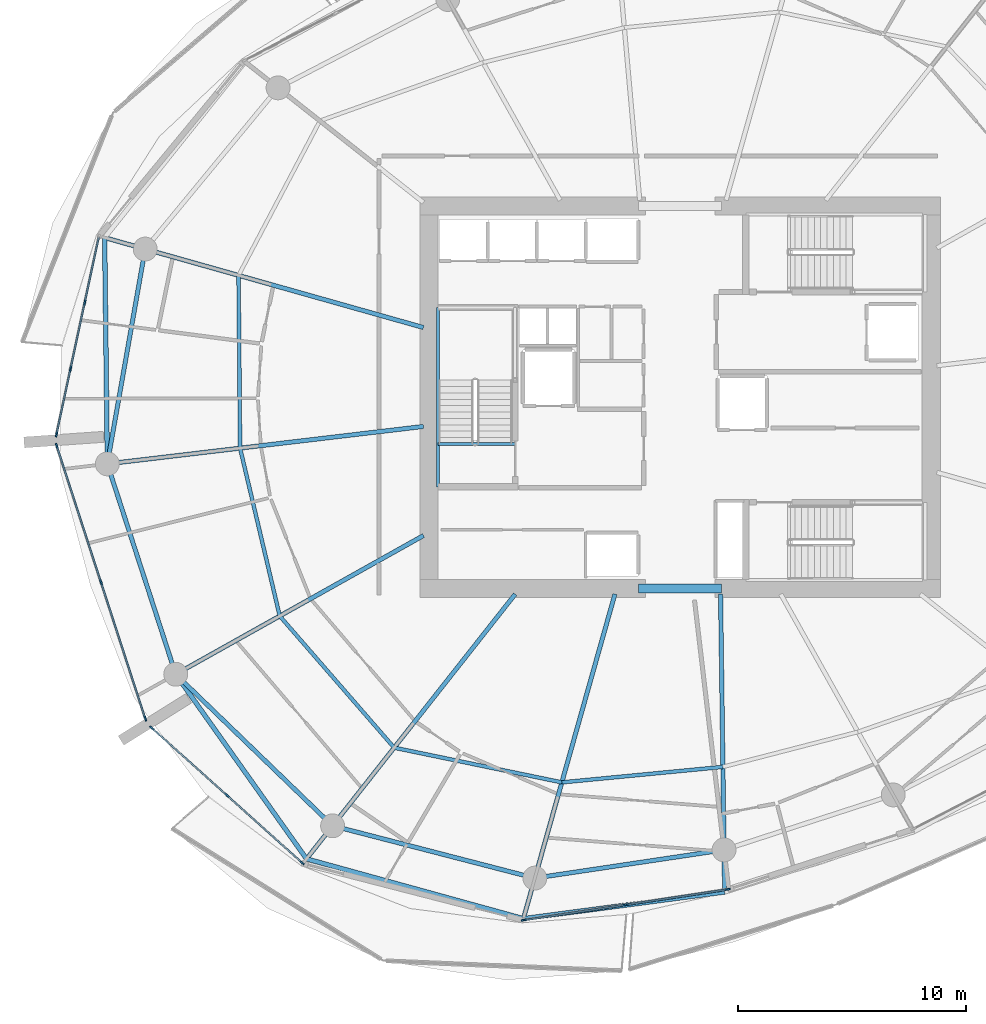
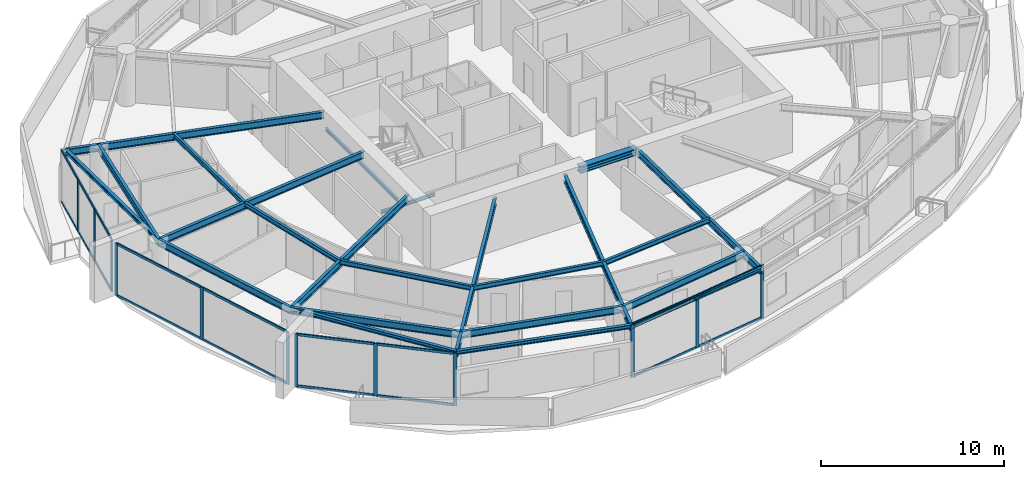
# One storey, part 5 of 20: 30 members, 23 beams, 4 elements without a shape of their own.
"""IFC4 building model written with IfcOpenShell, lengths in metres."""

from ifc_helpers import new_model, si_unit, direction, frame, origin, origin_2d, place, context, subcontext, project, spatial, rectangle, i_section, extrude, material, layer, layer_set, material_profile, profile_set, type_object, element, aggregate, save


model = new_model("IFC4")

# Units and contexts
model_context = context("Model", 3, precision=1e-05, world=origin(), true_north=direction((0.0, 1.0)))
body_context = subcontext(model_context, "Body", "Model", "MODEL_VIEW")
ifc_project = project(units=[si_unit("LENGTHUNIT", "METRE"), si_unit("AREAUNIT", "SQUARE_METRE"), si_unit("VOLUMEUNIT", "CUBIC_METRE"), si_unit("PLANEANGLEUNIT", "RADIAN"), si_unit("MASSUNIT", "GRAM", prefix="KILO")], contexts=[model_context])

# Site, building, storey
site_placement = place(None, origin())
site = spatial("IfcSite", under=ifc_project, at=site_placement, CompositionType="ELEMENT")
building_placement = place(site_placement, origin())
building = spatial("IfcBuilding", under=site, at=building_placement, Name="Kazma Halo Residences", CompositionType="ELEMENT")
storey_placement = place(building_placement, frame((0.0, 0.0, 146.550048828125)))
storey = spatial("IfcBuildingStorey", under=building, at=storey_placement, Name="L36", CompositionType="ELEMENT", Elevation=146.550048828125)

# Beams
ifc_material_1 = material(Name="Steel S355", Category="steel")
ifc_material_profile_1 = material_profile(ifc_material_1, i_section(OverallWidth=0.201904296875, OverallDepth=0.2470703125, WebThickness=0.00732421875, FlangeThickness=0.010986328125, FilletRadius=0.011962890625, at=origin_2d()), Name="W250x49.1")
ifc_profile_set_1 = profile_set([ifc_material_profile_1], Name="Steel S355")
beam_type_1 = type_object("IfcBeamType", Name="BM-BAL-CANT", PredefinedType="BEAM", material=ifc_profile_set_1)
beam_1_placement = place(storey_placement, frame((23.149658203125, 49.008544921875, 3.37646484375), z_axis=(0.011793371143, -0.99993045578, 0.0), x_axis=(0.99993045578, 0.011793371143, 0.0)))
element("IfcBeam", 1, at=beam_1_placement, inside=storey, type_object=beam_type_1, Name="L36 wave-balcony tie beam 07", PredefinedType="BEAM", context=body_context, shape_type="SweptSolid", body=[
    extrude(i_section(OverallWidth=0.201904296875, OverallDepth=0.2470703125, WebThickness=0.00732421875, FlangeThickness=0.010986328125, FilletRadius=0.011962890625, at=origin_2d()), origin(), (0.0, 0.0, 1.0), 9.936767578125),
])
beam_2_placement = place(storey_placement, frame((26.269775390625, 29.83056640625, 3.37646484375), z_axis=(0.578203432081, -0.81589263456, 0.0), x_axis=(0.81589263456, 0.578203432081, 0.0)))
element("IfcBeam", 2, at=beam_2_placement, inside=storey, type_object=beam_type_1, Name="L36 wave-balcony lead tie beam 09", PredefinedType="BEAM", context=body_context, shape_type="SweptSolid", body=[
    extrude(i_section(OverallWidth=0.201904296875, OverallDepth=0.2470703125, WebThickness=0.00732421875, FlangeThickness=0.010986328125, FilletRadius=0.011962890625, at=origin_2d()), origin(), (0.0, 0.0, 1.0), 9.9365234375),
])
beam_3_placement = place(storey_placement, frame((32.01513671875, 21.723388671875, 3.37646484375), z_axis=(0.964045237638, -0.265738179019, 0.0), x_axis=(0.265738179019, 0.964045237638, 0.0)))
element("IfcBeam", 3, at=beam_3_placement, inside=storey, type_object=beam_type_1, Name="L36 wave-balcony tie beam 10", PredefinedType="BEAM", context=body_context, shape_type="SweptSolid", body=[
    extrude(i_section(OverallWidth=0.201904296875, OverallDepth=0.2470703125, WebThickness=0.00732421875, FlangeThickness=0.010986328125, FilletRadius=0.011962890625, at=origin_2d()), origin(), (0.0, 0.0, 1.0), 9.880859375),
])
beam_4_placement = place(storey_placement, frame((41.540771484375, 19.09765625, 3.37646484375), z_axis=(0.991326402839, 0.13142284061, 0.0), x_axis=(-0.13142284061, 0.991326402839, 0.0)))
element("IfcBeam", 4, at=beam_4_placement, inside=storey, type_object=beam_type_1, Name="L36 wave-balcony tie beam 11", PredefinedType="BEAM", context=body_context, shape_type="SweptSolid", body=[
    extrude(i_section(OverallWidth=0.201904296875, OverallDepth=0.2470703125, WebThickness=0.00732421875, FlangeThickness=0.010986328125, FilletRadius=0.011962890625, at=origin_2d()), origin(), (0.0, 0.0, 1.0), 8.9150390625),
])
ifc_material_profile_2 = material_profile(ifc_material_1, i_section(OverallWidth=0.408935546875, OverallDepth=0.425048828125, WebThickness=0.03271484375, FlangeThickness=0.052490234375, FilletRadius=0.02001953125, at=origin_2d()), Name="W360x421")
ifc_profile_set_2 = profile_set([ifc_material_profile_2], Name="Steel S355")
beam_type_2 = type_object("IfcBeamType", Name="BM-CORE-W360H", PredefinedType="BEAM", material=ifc_profile_set_2)
beam_5_placement = place(storey_placement, frame((46.60009765625, 33.60009765625, 3.287353515625), z_axis=(1.0, 0.0, 0.0), x_axis=(0.0, 1.0, 0.0)))
element("IfcBeam", 5, at=beam_5_placement, inside=storey, type_object=beam_type_2, Name="L36 core coupling beam S", PredefinedType="BEAM", context=body_context, shape_type="SweptSolid", body=[
    extrude(i_section(OverallWidth=0.408935546875, OverallDepth=0.425048828125, WebThickness=0.03271484375, FlangeThickness=0.052490234375, FilletRadius=0.02001953125, at=origin_2d()), origin(), (0.0, 0.0, 1.0), 3.64990234375),
])
ifc_material_profile_3 = material_profile(ifc_material_1, i_section(OverallWidth=0.18994140625, OverallDepth=0.45703125, WebThickness=0.009033203125, FlangeThickness=0.014404296875, FilletRadius=0.01611328125, at=origin_2d()), Name="W460x74")
ifc_profile_set_3 = profile_set([ifc_material_profile_3], Name="Steel S355")
beam_type_3 = type_object("IfcBeamType", Name="BM-RAD-W460", PredefinedType="BEAM", material=ifc_profile_set_3)
beam_6_placement = place(storey_placement, frame((37.14990234375, 45.06005859375, 3.271484375), z_axis=(-0.962455072712, 0.271441030447, 0.0), x_axis=(-0.271441030447, -0.962455072712, 0.0)))
element("IfcBeam", 6, at=beam_6_placement, inside=storey, type_object=beam_type_3, Name="L36 radial floor beam 07", PredefinedType="BEAM", context=body_context, shape_type="SweptSolid", body=[
    extrude(i_section(OverallWidth=0.18994140625, OverallDepth=0.45703125, WebThickness=0.009033203125, FlangeThickness=0.014404296875, FilletRadius=0.01611328125, at=origin_2d()), origin(), (0.0, 0.0, 1.0), 14.54638671875),
])
beam_7_placement = place(storey_placement, frame((37.14990234375, 40.7158203125, 3.271484375), z_axis=(-0.993067267044, -0.117547450531, 0.0), x_axis=(0.117547450531, -0.993067267044, 0.0)))
element("IfcBeam", 7, at=beam_7_placement, inside=storey, type_object=beam_type_3, Name="L36 radial floor beam 08", PredefinedType="BEAM", context=body_context, shape_type="SweptSolid", body=[
    extrude(i_section(OverallWidth=0.18994140625, OverallDepth=0.45703125, WebThickness=0.009033203125, FlangeThickness=0.014404296875, FilletRadius=0.01611328125, at=origin_2d()), origin(), (0.0, 0.0, 1.0), 13.97998046875),
])
beam_8_placement = place(storey_placement, frame((37.14990234375, 35.923583984375, 3.271484375), z_axis=(-0.87250100809, -0.488612311431, 0.0), x_axis=(0.488612311431, -0.87250100809, 0.0)))
element("IfcBeam", 8, at=beam_8_placement, inside=storey, type_object=beam_type_3, Name="L36 radial floor beam 09", PredefinedType="BEAM", context=body_context, shape_type="SweptSolid", body=[
    extrude(i_section(OverallWidth=0.18994140625, OverallDepth=0.45703125, WebThickness=0.009033203125, FlangeThickness=0.014404296875, FilletRadius=0.01611328125, at=origin_2d()), origin(), (0.0, 0.0, 1.0), 12.469970703125),
])
beam_9_placement = place(storey_placement, frame((41.180908203125, 33.35009765625, 3.271484375), z_axis=(-0.619094498239, -0.785316498139, 0.0), x_axis=(0.785316498139, -0.619094498239, 0.0)))
element("IfcBeam", 9, at=beam_9_placement, inside=storey, type_object=beam_type_3, Name="L36 radial floor beam 10", PredefinedType="BEAM", context=body_context, shape_type="SweptSolid", body=[
    extrude(i_section(OverallWidth=0.18994140625, OverallDepth=0.45703125, WebThickness=0.009033203125, FlangeThickness=0.014404296875, FilletRadius=0.01611328125, at=origin_2d()), origin(), (0.0, 0.0, 1.0), 14.80517578125),
])
beam_10_placement = place(storey_placement, frame((45.560302734375, 33.35009765625, 3.271484375), z_axis=(-0.271435886816, -0.962456523355, 0.0), x_axis=(0.962456523355, -0.271435886816, 0.0)))
element("IfcBeam", 10, at=beam_10_placement, inside=storey, type_object=beam_type_3, Name="L36 radial floor beam 11", PredefinedType="BEAM", context=body_context, shape_type="SweptSolid", body=[
    extrude(i_section(OverallWidth=0.18994140625, OverallDepth=0.45703125, WebThickness=0.009033203125, FlangeThickness=0.014404296875, FilletRadius=0.01611328125, at=origin_2d()), origin(), (0.0, 0.0, 1.0), 14.808349609375),
])
beam_11_placement = place(storey_placement, frame((50.199951171875, 33.35009765625, 3.271484375), z_axis=(0.013642135434, -0.99990694174, 0.0), x_axis=(0.99990694174, 0.013642135434, 0.0)))
element("IfcBeam", 11, at=beam_11_placement, inside=storey, type_object=beam_type_3, Name="L36 radial floor beam 12", PredefinedType="BEAM", context=body_context, shape_type="SweptSolid", body=[
    extrude(i_section(OverallWidth=0.18994140625, OverallDepth=0.45703125, WebThickness=0.009033203125, FlangeThickness=0.014404296875, FilletRadius=0.01611328125, at=origin_2d()), origin(), (0.0, 0.0, 1.0), 13.08203125),
])
ifc_material_profile_4 = material_profile(ifc_material_1, i_section(OverallWidth=0.1650390625, OverallDepth=0.31005859375, WebThickness=0.005859375, FlangeThickness=0.009765625, FilletRadius=0.011962890625, at=origin_2d()), Name="W310x38.7")
ifc_profile_set_4 = profile_set([ifc_material_profile_4], Name="Steel S355")
beam_type_4 = type_object("IfcBeamType", Name="BM-SEC-W310B", PredefinedType="JOIST", material=ifc_profile_set_4)
beam_12_placement = place(storey_placement, frame((29.02978515625, 47.35009765625, 3.344970703125), z_axis=(0.008944876706, -0.99995999379, 0.0), x_axis=(0.99995999379, 0.008944876706, 0.0)))
element("IfcBeam", 12, at=beam_12_placement, inside=storey, type_object=beam_type_4, Name="L36 circumferential floor joist 07", PredefinedType="JOIST", context=body_context, shape_type="SweptSolid", body=[
    extrude(i_section(OverallWidth=0.1650390625, OverallDepth=0.31005859375, WebThickness=0.005859375, FlangeThickness=0.009765625, FilletRadius=0.011962890625, at=origin_2d()), origin(), (0.0, 0.0, 1.0), 7.587646484375),
])
beam_13_placement = place(storey_placement, frame((29.09765625, 39.7626953125, 3.344970703125), z_axis=(0.229897820601, -0.973214771817, 0.0), x_axis=(0.973214771817, 0.229897820601, 0.0)))
element("IfcBeam", 13, at=beam_13_placement, inside=storey, type_object=beam_type_4, Name="L36 circumferential floor joist 08", PredefinedType="JOIST", context=body_context, shape_type="SweptSolid", body=[
    extrude(i_section(OverallWidth=0.1650390625, OverallDepth=0.31005859375, WebThickness=0.005859375, FlangeThickness=0.009765625, FilletRadius=0.011962890625, at=origin_2d()), origin(), (0.0, 0.0, 1.0), 7.575927734375),
])
beam_14_placement = place(storey_placement, frame((30.83935546875, 32.3896484375, 3.344970703125), z_axis=(0.655935687589, -0.754816781575, 0.0), x_axis=(0.754816781575, 0.655935687589, 0.0)))
element("IfcBeam", 14, at=beam_14_placement, inside=storey, type_object=beam_type_4, Name="L36 circumferential floor joist 09", PredefinedType="JOIST", context=body_context, shape_type="SweptSolid", body=[
    extrude(i_section(OverallWidth=0.1650390625, OverallDepth=0.31005859375, WebThickness=0.005859375, FlangeThickness=0.009765625, FilletRadius=0.011962890625, at=origin_2d()), origin(), (0.0, 0.0, 1.0), 7.661376953125),
])
beam_15_placement = place(storey_placement, frame((35.86474609375, 26.606689453125, 3.344970703125), z_axis=(0.979272189631, -0.202548706773, 0.0), x_axis=(0.202548706773, 0.979272189631, 0.0)))
element("IfcBeam", 15, at=beam_15_placement, inside=storey, type_object=beam_type_4, Name="L36 circumferential floor joist 10", PredefinedType="JOIST", context=body_context, shape_type="SweptSolid", body=[
    extrude(i_section(OverallWidth=0.1650390625, OverallDepth=0.31005859375, WebThickness=0.005859375, FlangeThickness=0.009765625, FilletRadius=0.011962890625, at=origin_2d()), origin(), (0.0, 0.0, 1.0), 7.52001953125),
])
beam_16_placement = place(storey_placement, frame((43.22900390625, 25.08349609375, 3.344970703125), z_axis=(0.995416389983, 0.095635822539, 0.0), x_axis=(-0.095635822539, 0.995416389983, 0.0)))
element("IfcBeam", 16, at=beam_16_placement, inside=storey, type_object=beam_type_4, Name="L36 circumferential floor joist 11", PredefinedType="JOIST", context=body_context, shape_type="SweptSolid", body=[
    extrude(i_section(OverallWidth=0.1650390625, OverallDepth=0.31005859375, WebThickness=0.005859375, FlangeThickness=0.009765625, FilletRadius=0.011962890625, at=origin_2d()), origin(), (0.0, 0.0, 1.0), 7.10693359375),
])
ifc_material_profile_5 = material_profile(ifc_material_1, i_section(OverallWidth=0.18994140625, OverallDepth=0.45703125, WebThickness=0.009033203125, FlangeThickness=0.014404296875, FilletRadius=0.01611328125, at=origin_2d()), Name="W460x74")
ifc_profile_set_5 = profile_set([ifc_material_profile_5], Name="Steel S355")
beam_type_5 = type_object("IfcBeamType", Name="BM-SPN-W460", PredefinedType="BEAM", material=ifc_profile_set_5)
beam_17_placement = place(storey_placement, frame((24.93017578125, 48.50634765625, 3.271484375), z_axis=(-0.173637033425, -0.984809717978, 0.0), x_axis=(0.984809717978, -0.173637033425, 0.0)))
element("IfcBeam", 17, at=beam_17_placement, inside=storey, type_object=beam_type_5, Name="L36 perimeter ring beam 07", PredefinedType="BEAM", context=body_context, shape_type="SweptSolid", body=[
    extrude(i_section(OverallWidth=0.18994140625, OverallDepth=0.45703125, WebThickness=0.009033203125, FlangeThickness=0.014404296875, FilletRadius=0.01611328125, at=origin_2d()), origin(), (0.0, 0.0, 1.0), 9.579345703125),
])
beam_18_placement = place(storey_placement, frame((23.266845703125, 39.072509765625, 3.271484375), z_axis=(0.309020741629, -0.95105529873, 0.0), x_axis=(0.95105529873, 0.309020741629, 0.0)))
element("IfcBeam", 18, at=beam_18_placement, inside=storey, type_object=beam_type_5, Name="L36 perimeter ring beam 08", PredefinedType="BEAM", context=body_context, shape_type="SweptSolid", body=[
    extrude(i_section(OverallWidth=0.18994140625, OverallDepth=0.45703125, WebThickness=0.009033203125, FlangeThickness=0.014404296875, FilletRadius=0.01611328125, at=origin_2d()), origin(), (0.0, 0.0, 1.0), 9.717529296875),
])
beam_19_placement = place(storey_placement, frame((26.269775390625, 29.83056640625, 3.271484375), z_axis=(0.719334705845, -0.694663645923, 0.0), x_axis=(0.694663645923, 0.719334705845, 0.0)))
element("IfcBeam", 19, at=beam_19_placement, inside=storey, type_object=beam_type_5, Name="L36 perimeter ring beam 09", PredefinedType="BEAM", context=body_context, shape_type="SweptSolid", body=[
    extrude(i_section(OverallWidth=0.18994140625, OverallDepth=0.45703125, WebThickness=0.009033203125, FlangeThickness=0.014404296875, FilletRadius=0.01611328125, at=origin_2d()), origin(), (0.0, 0.0, 1.0), 9.5791015625),
])
beam_20_placement = place(storey_placement, frame((33.160400390625, 23.17626953125, 3.271484375), z_axis=(0.968123664213, -0.250472694699, 0.0), x_axis=(0.250472694699, 0.968123664213, 0.0)))
element("IfcBeam", 20, at=beam_20_placement, inside=storey, type_object=beam_type_5, Name="L36 perimeter ring beam 10", PredefinedType="BEAM", context=body_context, shape_type="SweptSolid", body=[
    extrude(i_section(OverallWidth=0.18994140625, OverallDepth=0.45703125, WebThickness=0.009033203125, FlangeThickness=0.014404296875, FilletRadius=0.01611328125, at=origin_2d()), origin(), (0.0, 0.0, 1.0), 9.175048828125),
])
beam_21_placement = place(storey_placement, frame((42.04296875, 20.878173828125, 3.271484375), z_axis=(0.989037147603, 0.147666924735, 0.0), x_axis=(-0.147666924735, 0.989037147603, 0.0)))
element("IfcBeam", 21, at=beam_21_placement, inside=storey, type_object=beam_type_5, Name="L36 perimeter ring beam 11", PredefinedType="BEAM", context=body_context, shape_type="SweptSolid", body=[
    extrude(i_section(OverallWidth=0.18994140625, OverallDepth=0.45703125, WebThickness=0.009033203125, FlangeThickness=0.014404296875, FilletRadius=0.01611328125, at=origin_2d()), origin(), (0.0, 0.0, 1.0), 8.402099609375),
])
ifc_material_profile_6 = material_profile(ifc_material_1, i_section(OverallWidth=0.133056640625, OverallDepth=0.20703125, WebThickness=0.005859375, FlangeThickness=0.00830078125, FilletRadius=0.010009765625, at=origin_2d()), Name="W200x26.6")
ifc_profile_set_6 = profile_set([ifc_material_profile_6], Name="Steel S355")
beam_type_6 = type_object("IfcBeamType", Name="BM-TRIM-W200", PredefinedType="BEAM", material=ifc_profile_set_6)
beam_22_placement = place(storey_placement, frame((37.800048828125, 39.949951171875, -0.360107421875), z_axis=(1.0, 0.0, 0.0), x_axis=(0.0, 1.0, 0.0)))
element("IfcBeam", 22, at=beam_22_placement, inside=storey, type_object=beam_type_6, Name="L36 ST-01 floor landing support beam", PredefinedType="BEAM", context=body_context, shape_type="SweptSolid", body=[
    extrude(i_section(OverallWidth=0.133056640625, OverallDepth=0.20703125, WebThickness=0.005859375, FlangeThickness=0.00830078125, FilletRadius=0.010009765625, at=origin_2d()), origin(), (0.0, 0.0, 1.0), 3.3798828125),
])
beam_23_placement = place(storey_placement, frame((37.780029296875, 38.06005859375, 1.570068359375), z_axis=(0.0, 1.0, 0.0), x_axis=(-1.0, 0.0, 0.0)))
element("IfcBeam", 23, at=beam_23_placement, inside=storey, type_object=beam_type_6, Name="L36 ST-01 landing west wall ledger", PredefinedType="BEAM", context=body_context, shape_type="SweptSolid", body=[
    extrude(i_section(OverallWidth=0.133056640625, OverallDepth=0.20703125, WebThickness=0.005859375, FlangeThickness=0.00830078125, FilletRadius=0.010009765625, at=origin_2d()), origin(), (0.0, 0.0, 1.0), 7.8798828125),
])

# Curtain wall, members
ifc_material_2 = material(Name="Aluminium AW-6063 T6 and Triple-Silver Low-E Glass", Category="aluminium")
ifc_layer = layer(ifc_material_2, 0.219970703125)
ifc_layer_set = layer_set([ifc_layer], Name="Aluminium AW-6063 T6 and Triple-Silver Low-E Glass")
curtain_wall_type = type_object("IfcCurtainWallType", Name="CW-SYS-4", PredefinedType="NOTDEFINED", material=ifc_layer_set)
curtain_wall_1_placement = place(storey_placement, origin())
curtain_wall_1 = element("IfcCurtainWall", 24, at=curtain_wall_1_placement, inside=storey, type_object=curtain_wall_type, Name="L36 unitised curtain wall B07", PredefinedType="NOTDEFINED")
ifc_material_3 = material(Name="Aluminium AW-6063 T6", Category="aluminium")
ifc_material_profile_7 = material_profile(ifc_material_3, rectangle(XDim=0.074951171875, YDim=0.219970703125, at=origin_2d()), Name="CWM-75x220")
ifc_profile_set_7 = profile_set([ifc_material_profile_7], Name="Aluminium AW-6063 T6")
member_type_1 = type_object("IfcMemberType", Name="CW-SYS-4-MUL", PredefinedType="MULLION", material=ifc_profile_set_7)
member_1_placement = place(storey_placement, frame((22.27685546875, 46.160888671875, 0.0), z_axis=(0.0, 0.0, 1.0), x_axis=(0.977764957684, -0.209703809037, 0.0)))
member_1 = element("IfcMember", 25, at=member_1_placement, type_object=member_type_1, Name="CWS-4 mullion 2", PredefinedType="MULLION", context=body_context, shape_type="SweptSolid", body=[
    extrude(rectangle(XDim=0.074951171875, YDim=0.219970703125, at=origin_2d()), origin(), (0.0, 0.0, 1.0), 3.5),
])
member_2_placement = place(storey_placement, frame((21.6513671875, 43.24365234375, 0.0), z_axis=(0.0, 0.0, 1.0), x_axis=(0.977764957684, -0.209703809037, 0.0)))
member_2 = element("IfcMember", 26, at=member_2_placement, type_object=member_type_1, Name="CWS-4 mullion 3", PredefinedType="MULLION", context=body_context, shape_type="SweptSolid", body=[
    extrude(rectangle(XDim=0.074951171875, YDim=0.219970703125, at=origin_2d()), origin(), (0.0, 0.0, 1.0), 3.5),
])
member_3_placement = place(storey_placement, frame((21.033447265625, 40.36328125, 0.0), z_axis=(0.0, 0.0, 1.0), x_axis=(0.977764957684, -0.209703809037, 0.0)))
member_3 = element("IfcMember", 27, at=member_3_placement, type_object=member_type_1, Name="CWS-4 mullion 4", PredefinedType="MULLION", context=body_context, shape_type="SweptSolid", body=[
    extrude(rectangle(XDim=0.074951171875, YDim=0.219970703125, at=origin_2d()), origin(), (0.0, 0.0, 1.0), 3.5),
])

curtain_wall_2_placement = place(storey_placement, origin())
curtain_wall_2 = element("IfcCurtainWall", 28, at=curtain_wall_2_placement, inside=storey, type_object=curtain_wall_type, Name="L36 unitised curtain wall B08", PredefinedType="NOTDEFINED")
member_4_placement = place(storey_placement, frame((21.044189453125, 39.86572265625, 0.0), z_axis=(0.0, 0.0, 1.0), x_axis=(0.951057547609, 0.3090138203, 0.0)))
member_4 = element("IfcMember", 29, at=member_4_placement, type_object=member_type_1, Name="CWS-4 mullion 1", PredefinedType="MULLION", context=body_context, shape_type="SweptSolid", body=[
    extrude(rectangle(XDim=0.074951171875, YDim=0.219970703125, at=origin_2d()), origin(), (0.0, 0.0, 1.0), 3.5),
])
member_5_placement = place(storey_placement, frame((22.990966796875, 33.8740234375, 0.0), z_axis=(0.0, 0.0, 1.0), x_axis=(0.951057547609, 0.3090138203, 0.0)))
member_5 = element("IfcMember", 30, at=member_5_placement, type_object=member_type_1, Name="CWS-4 mullion 2", PredefinedType="MULLION", context=body_context, shape_type="SweptSolid", body=[
    extrude(rectangle(XDim=0.074951171875, YDim=0.219970703125, at=origin_2d()), origin(), (0.0, 0.0, 1.0), 3.5),
])
member_6_placement = place(storey_placement, frame((24.937744140625, 27.882568359375, 0.0), z_axis=(0.0, 0.0, 1.0), x_axis=(0.951057547609, 0.3090138203, 0.0)))
member_6 = element("IfcMember", 31, at=member_6_placement, type_object=member_type_1, Name="CWS-4 mullion 3", PredefinedType="MULLION", context=body_context, shape_type="SweptSolid", body=[
    extrude(rectangle(XDim=0.074951171875, YDim=0.219970703125, at=origin_2d()), origin(), (0.0, 0.0, 1.0), 3.5),
])

curtain_wall_3_placement = place(storey_placement, origin())
curtain_wall_3 = element("IfcCurtainWall", 32, at=curtain_wall_3_placement, inside=storey, type_object=curtain_wall_type, Name="L36 unitised curtain wall B09", PredefinedType="NOTDEFINED")
member_7_placement = place(storey_placement, frame((25.221435546875, 27.4736328125, 0.0), z_axis=(0.0, 0.0, 1.0), x_axis=(0.667770096247, 0.744367582957, 0.0)))
member_7 = element("IfcMember", 33, at=member_7_placement, type_object=member_type_1, Name="CWS-4 mullion 1", PredefinedType="MULLION", context=body_context, shape_type="SweptSolid", body=[
    extrude(rectangle(XDim=0.074951171875, YDim=0.219970703125, at=origin_2d()), origin(), (0.0, 0.0, 1.0), 3.5),
])
member_8_placement = place(storey_placement, frame((28.52490234375, 24.51025390625, 0.0), z_axis=(0.0, 0.0, 1.0), x_axis=(0.667770096247, 0.744367582957, 0.0)))
member_8 = element("IfcMember", 34, at=member_8_placement, type_object=member_type_1, Name="CWS-4 mullion 2", PredefinedType="MULLION", context=body_context, shape_type="SweptSolid", body=[
    extrude(rectangle(XDim=0.074951171875, YDim=0.219970703125, at=origin_2d()), origin(), (0.0, 0.0, 1.0), 3.5),
])
member_9_placement = place(storey_placement, frame((31.828369140625, 21.546630859375, 0.0), z_axis=(0.0, 0.0, 1.0), x_axis=(0.667770096247, 0.744367582957, 0.0)))
member_9 = element("IfcMember", 35, at=member_9_placement, type_object=member_type_1, Name="CWS-4 mullion 3", PredefinedType="MULLION", context=body_context, shape_type="SweptSolid", body=[
    extrude(rectangle(XDim=0.074951171875, YDim=0.219970703125, at=origin_2d()), origin(), (0.0, 0.0, 1.0), 3.5),
])

curtain_wall_4_placement = place(storey_placement, origin())
curtain_wall_4 = element("IfcCurtainWall", 36, at=curtain_wall_4_placement, inside=storey, type_object=curtain_wall_type, Name="L36 unitised curtain wall B11", PredefinedType="NOTDEFINED")
member_10_placement = place(storey_placement, frame((41.559326171875, 19.037109375, 0.0), z_axis=(0.0, 0.0, 1.0), x_axis=(-0.148821022686, 0.988864148004, 0.0)))
member_10 = element("IfcMember", 37, at=member_10_placement, type_object=member_type_1, Name="CWS-4 mullion 1", PredefinedType="MULLION", context=body_context, shape_type="SweptSolid", body=[
    extrude(rectangle(XDim=0.074951171875, YDim=0.219970703125, at=origin_2d()), origin(), (0.0, 0.0, 1.0), 3.5),
])
member_11_placement = place(storey_placement, frame((46.039794921875, 19.71142578125, 0.0), z_axis=(0.0, 0.0, 1.0), x_axis=(-0.148821022686, 0.988864148004, 0.0)))
member_11 = element("IfcMember", 38, at=member_11_placement, type_object=member_type_1, Name="CWS-4 mullion 2", PredefinedType="MULLION", context=body_context, shape_type="SweptSolid", body=[
    extrude(rectangle(XDim=0.074951171875, YDim=0.219970703125, at=origin_2d()), origin(), (0.0, 0.0, 1.0), 3.5),
])
member_12_placement = place(storey_placement, frame((50.5205078125, 20.3857421875, 0.0), z_axis=(0.0, 0.0, 1.0), x_axis=(-0.148821022686, 0.988864148004, 0.0)))
member_12 = element("IfcMember", 39, at=member_12_placement, type_object=member_type_1, Name="CWS-4 mullion 3", PredefinedType="MULLION", context=body_context, shape_type="SweptSolid", body=[
    extrude(rectangle(XDim=0.074951171875, YDim=0.219970703125, at=origin_2d()), origin(), (0.0, 0.0, 1.0), 3.5),
])

# Member
ifc_material_profile_8 = material_profile(ifc_material_3, rectangle(XDim=0.074951171875, YDim=0.1650390625, at=origin_2d()), Name="CWT-75x165")
ifc_profile_set_8 = profile_set([ifc_material_profile_8], Name="Aluminium AW-6063 T6")
member_type_2 = type_object("IfcMemberType", Name="CW-SYS-4-TRN", PredefinedType="USERDEFINED", material=ifc_profile_set_8)
member_13_placement = place(storey_placement, frame((22.886962890625, 49.0048828125, 0.037353515625), z_axis=(-0.209703309269, -0.977765064871, 0.0), x_axis=(0.977765064871, -0.209703309269, 0.0)))
member_13 = element("IfcMember", 40, at=member_13_placement, type_object=member_type_2, Name="CWS-4 transom 1.1", ObjectType="TRANSOM", PredefinedType="USERDEFINED", context=body_context, shape_type="SweptSolid", body=[
    extrude(rectangle(XDim=0.074951171875, YDim=0.1650390625, at=origin_2d()), origin(), (0.0, 0.0, 1.0), 2.870849609375),
])

member_14_placement = place(storey_placement, frame((22.886962890625, 49.0048828125, 3.46240234375), z_axis=(-0.209703309269, -0.977765064871, 0.0), x_axis=(0.977765064871, -0.209703309269, 0.0)))
member_14 = element("IfcMember", 41, at=member_14_placement, type_object=member_type_2, Name="CWS-4 transom 1.2", ObjectType="TRANSOM", PredefinedType="USERDEFINED", context=body_context, shape_type="SweptSolid", body=[
    extrude(rectangle(XDim=0.074951171875, YDim=0.1650390625, at=origin_2d()), origin(), (0.0, 0.0, 1.0), 2.870849609375),
])

member_15_placement = place(storey_placement, frame((22.26904296875, 46.124267578125, 0.037353515625), z_axis=(-0.209689601293, -0.977768004748, 0.0), x_axis=(0.977768004748, -0.209689601293, 0.0)))
member_15 = element("IfcMember", 42, at=member_15_placement, type_object=member_type_2, Name="CWS-4 transom 2.1", ObjectType="TRANSOM", PredefinedType="USERDEFINED", context=body_context, shape_type="SweptSolid", body=[
    extrude(rectangle(XDim=0.074951171875, YDim=0.1650390625, at=origin_2d()), origin(), (0.0, 0.0, 1.0), 2.908447265625),
])

member_16_placement = place(storey_placement, frame((22.26904296875, 46.124267578125, 3.46240234375), z_axis=(-0.209689601293, -0.977768004748, 0.0), x_axis=(0.977768004748, -0.209689601293, 0.0)))
member_16 = element("IfcMember", 43, at=member_16_placement, type_object=member_type_2, Name="CWS-4 transom 2.2", ObjectType="TRANSOM", PredefinedType="USERDEFINED", context=body_context, shape_type="SweptSolid", body=[
    extrude(rectangle(XDim=0.074951171875, YDim=0.1650390625, at=origin_2d()), origin(), (0.0, 0.0, 1.0), 2.908447265625),
])

member_17_placement = place(storey_placement, frame((21.643310546875, 43.20703125, 0.037353515625), z_axis=(-0.209703309269, -0.977765064871, 0.0), x_axis=(0.977765064871, -0.209703309269, 0.0)))
member_17 = element("IfcMember", 44, at=member_17_placement, type_object=member_type_2, Name="CWS-4 transom 3.1", ObjectType="TRANSOM", PredefinedType="USERDEFINED", context=body_context, shape_type="SweptSolid", body=[
    extrude(rectangle(XDim=0.074951171875, YDim=0.1650390625, at=origin_2d()), origin(), (0.0, 0.0, 1.0), 2.870849609375),
])

member_18_placement = place(storey_placement, frame((21.643310546875, 43.20703125, 3.46240234375), z_axis=(-0.209703309269, -0.977765064871, 0.0), x_axis=(0.977765064871, -0.209703309269, 0.0)))
member_18 = element("IfcMember", 45, at=member_18_placement, type_object=member_type_2, Name="CWS-4 transom 3.2", ObjectType="TRANSOM", PredefinedType="USERDEFINED", context=body_context, shape_type="SweptSolid", body=[
    extrude(rectangle(XDim=0.074951171875, YDim=0.1650390625, at=origin_2d()), origin(), (0.0, 0.0, 1.0), 2.870849609375),
])

aggregate(curtain_wall_1, [member_1, member_2, member_3, member_13, member_14, member_15, member_16, member_17, member_18])

member_19_placement = place(storey_placement, frame((21.0556640625, 39.830078125, 0.037353515625), z_axis=(0.309006258762, -0.95106000444, 0.0), x_axis=(0.95106000444, 0.309006258762, 0.0)))
member_19 = element("IfcMember", 46, at=member_19_placement, type_object=member_type_2, Name="CWS-4 transom 1.1", ObjectType="TRANSOM", PredefinedType="USERDEFINED", context=body_context, shape_type="SweptSolid", body=[
    extrude(rectangle(XDim=0.074951171875, YDim=0.1650390625, at=origin_2d()), origin(), (0.0, 0.0, 1.0), 6.22509765625),
])

member_20_placement = place(storey_placement, frame((21.0556640625, 39.830078125, 3.46240234375), z_axis=(0.309006258762, -0.95106000444, 0.0), x_axis=(0.95106000444, 0.309006258762, 0.0)))
member_20 = element("IfcMember", 47, at=member_20_placement, type_object=member_type_2, Name="CWS-4 transom 1.2", ObjectType="TRANSOM", PredefinedType="USERDEFINED", context=body_context, shape_type="SweptSolid", body=[
    extrude(rectangle(XDim=0.074951171875, YDim=0.1650390625, at=origin_2d()), origin(), (0.0, 0.0, 1.0), 6.22509765625),
])

member_21_placement = place(storey_placement, frame((23.00244140625, 33.83837890625, 0.037353515625), z_axis=(0.309017784977, -0.951056259413, 0.0), x_axis=(0.951056259413, 0.309017784977, 0.0)))
member_21 = element("IfcMember", 48, at=member_21_placement, type_object=member_type_2, Name="CWS-4 transom 2.1", ObjectType="TRANSOM", PredefinedType="USERDEFINED", context=body_context, shape_type="SweptSolid", body=[
    extrude(rectangle(XDim=0.074951171875, YDim=0.1650390625, at=origin_2d()), origin(), (0.0, 0.0, 1.0), 6.224853515625),
])

member_22_placement = place(storey_placement, frame((23.00244140625, 33.83837890625, 3.46240234375), z_axis=(0.309017784977, -0.951056259413, 0.0), x_axis=(0.951056259413, 0.309017784977, 0.0)))
member_22 = element("IfcMember", 49, at=member_22_placement, type_object=member_type_2, Name="CWS-4 transom 2.2", ObjectType="TRANSOM", PredefinedType="USERDEFINED", context=body_context, shape_type="SweptSolid", body=[
    extrude(rectangle(XDim=0.074951171875, YDim=0.1650390625, at=origin_2d()), origin(), (0.0, 0.0, 1.0), 6.224853515625),
])

aggregate(curtain_wall_2, [member_4, member_5, member_6, member_19, member_20, member_21, member_22])

member_23_placement = place(storey_placement, frame((25.24951171875, 27.44873046875, 0.037353515625), z_axis=(0.744344978888, -0.66779529229, 0.0), x_axis=(0.66779529229, 0.744344978888, 0.0)))
member_23 = element("IfcMember", 50, at=member_23_placement, type_object=member_type_2, Name="CWS-4 transom 1.1", ObjectType="TRANSOM", PredefinedType="USERDEFINED", context=body_context, shape_type="SweptSolid", body=[
    extrude(rectangle(XDim=0.074951171875, YDim=0.1650390625, at=origin_2d()), origin(), (0.0, 0.0, 1.0), 4.363037109375),
])

member_24_placement = place(storey_placement, frame((25.24951171875, 27.44873046875, 3.46240234375), z_axis=(0.744344978888, -0.66779529229, 0.0), x_axis=(0.66779529229, 0.744344978888, 0.0)))
member_24 = element("IfcMember", 51, at=member_24_placement, type_object=member_type_2, Name="CWS-4 transom 1.2", ObjectType="TRANSOM", PredefinedType="USERDEFINED", context=body_context, shape_type="SweptSolid", body=[
    extrude(rectangle(XDim=0.074951171875, YDim=0.1650390625, at=origin_2d()), origin(), (0.0, 0.0, 1.0), 4.363037109375),
])

member_25_placement = place(storey_placement, frame((28.552734375, 24.485107421875, 0.037353515625), z_axis=(0.744372794017, -0.667764287401, 0.0), x_axis=(0.667764287401, 0.744372794017, 0.0)))
member_25 = element("IfcMember", 52, at=member_25_placement, type_object=member_type_2, Name="CWS-4 transom 2.1", ObjectType="TRANSOM", PredefinedType="USERDEFINED", context=body_context, shape_type="SweptSolid", body=[
    extrude(rectangle(XDim=0.074951171875, YDim=0.1650390625, at=origin_2d()), origin(), (0.0, 0.0, 1.0), 4.36279296875),
])

member_26_placement = place(storey_placement, frame((28.552734375, 24.485107421875, 3.46240234375), z_axis=(0.744372794017, -0.667764287401, 0.0), x_axis=(0.667764287401, 0.744372794017, 0.0)))
member_26 = element("IfcMember", 53, at=member_26_placement, type_object=member_type_2, Name="CWS-4 transom 2.2", ObjectType="TRANSOM", PredefinedType="USERDEFINED", context=body_context, shape_type="SweptSolid", body=[
    extrude(rectangle(XDim=0.074951171875, YDim=0.1650390625, at=origin_2d()), origin(), (0.0, 0.0, 1.0), 4.36279296875),
])

aggregate(curtain_wall_3, [member_7, member_8, member_9, member_23, member_24, member_25, member_26])

member_27_placement = place(storey_placement, frame((41.596435546875, 19.042724609375, 0.037353515625), z_axis=(0.988866721231, 0.148803923478, 0.0), x_axis=(-0.148803923478, 0.988866721231, 0.0)))
member_27 = element("IfcMember", 54, at=member_27_placement, type_object=member_type_2, Name="CWS-4 transom 1.1", ObjectType="TRANSOM", PredefinedType="USERDEFINED", context=body_context, shape_type="SweptSolid", body=[
    extrude(rectangle(XDim=0.074951171875, YDim=0.1650390625, at=origin_2d()), origin(), (0.0, 0.0, 1.0), 4.4560546875),
])

member_28_placement = place(storey_placement, frame((41.596435546875, 19.042724609375, 3.46240234375), z_axis=(0.988866721231, 0.148803923478, 0.0), x_axis=(-0.148803923478, 0.988866721231, 0.0)))
member_28 = element("IfcMember", 55, at=member_28_placement, type_object=member_type_2, Name="CWS-4 transom 1.2", ObjectType="TRANSOM", PredefinedType="USERDEFINED", context=body_context, shape_type="SweptSolid", body=[
    extrude(rectangle(XDim=0.074951171875, YDim=0.1650390625, at=origin_2d()), origin(), (0.0, 0.0, 1.0), 4.4560546875),
])

member_29_placement = place(storey_placement, frame((46.076904296875, 19.717041015625, 0.037353515625), z_axis=(0.988866721231, 0.148803923478, 0.0), x_axis=(-0.148803923478, 0.988866721231, 0.0)))
member_29 = element("IfcMember", 56, at=member_29_placement, type_object=member_type_2, Name="CWS-4 transom 2.1", ObjectType="TRANSOM", PredefinedType="USERDEFINED", context=body_context, shape_type="SweptSolid", body=[
    extrude(rectangle(XDim=0.074951171875, YDim=0.1650390625, at=origin_2d()), origin(), (0.0, 0.0, 1.0), 4.4560546875),
])

member_30_placement = place(storey_placement, frame((46.076904296875, 19.717041015625, 3.46240234375), z_axis=(0.988866721231, 0.148803923478, 0.0), x_axis=(-0.148803923478, 0.988866721231, 0.0)))
member_30 = element("IfcMember", 57, at=member_30_placement, type_object=member_type_2, Name="CWS-4 transom 2.2", ObjectType="TRANSOM", PredefinedType="USERDEFINED", context=body_context, shape_type="SweptSolid", body=[
    extrude(rectangle(XDim=0.074951171875, YDim=0.1650390625, at=origin_2d()), origin(), (0.0, 0.0, 1.0), 4.4560546875),
])

aggregate(curtain_wall_4, [member_10, member_11, member_12, member_27, member_28, member_29, member_30])

save(model, "model.ifc")
